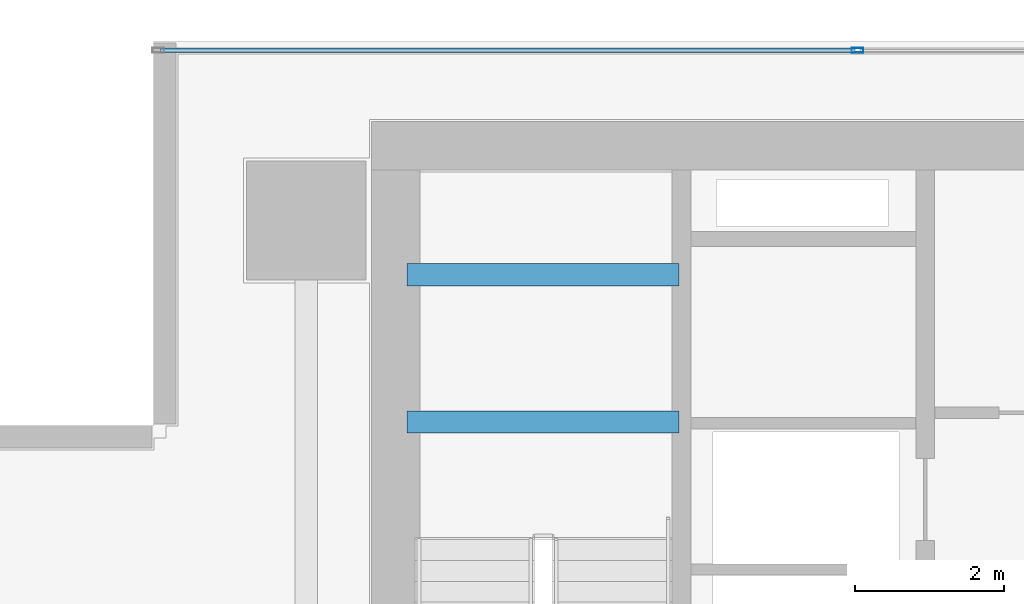
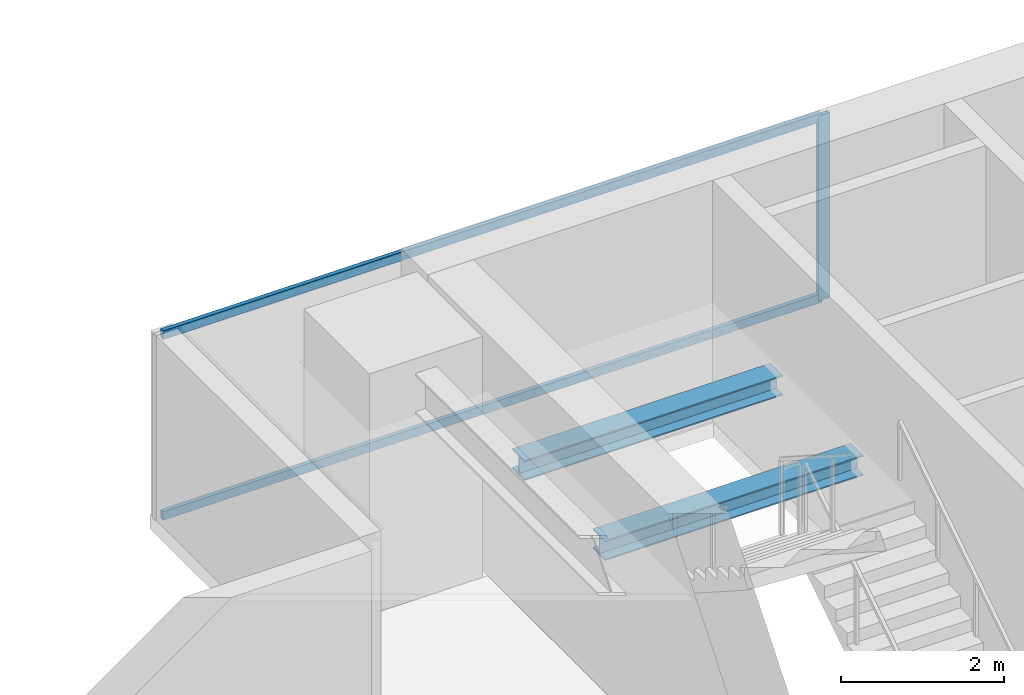
# One storey, part 15 of 28: 3 members, 2 beams, 1 element without a shape of its own.
"""IFC4 building model written with IfcOpenShell, lengths in metres."""

from ifc_helpers import new_model, si_unit, direction, frame, origin, origin_2d, place, context, subcontext, project, spatial, hollow_rectangle, i_section, extrude, source, transform, mapped, material, layer, layer_set, material_profile, profile_set, type_object, element, aggregate, save


model = new_model("IFC4")

# Units and contexts
model_context = context("Model", 3, precision=1e-05, world=origin(), true_north=direction((0.0, 1.0)))
body_context = subcontext(model_context, "Body", "Model", "MODEL_VIEW")
ifc_project = project(units=[si_unit("LENGTHUNIT", "METRE"), si_unit("AREAUNIT", "SQUARE_METRE"), si_unit("VOLUMEUNIT", "CUBIC_METRE"), si_unit("PLANEANGLEUNIT", "RADIAN"), si_unit("MASSUNIT", "GRAM", prefix="KILO")], contexts=[model_context])

# Site, building, storey
site_placement = place(None, origin())
site = spatial("IfcSite", under=ifc_project, at=site_placement, CompositionType="ELEMENT")
building_placement = place(site_placement, origin())
building = spatial("IfcBuilding", under=site, at=building_placement, Name="Sumidabori Civic Tower", CompositionType="ELEMENT")
storey_placement = place(building_placement, frame((0.0, 0.0, 178.39990234375)))
storey = spatial("IfcBuildingStorey", under=building, at=storey_placement, Name="L46", CompositionType="ELEMENT", Elevation=178.39990234375)

# Beams
ifc_material_1 = material(Name="Steel SN490", Category="steel")
ifc_material_profile_1 = material_profile(ifc_material_1, i_section(OverallWidth=0.300048828125, OverallDepth=0.300048828125, WebThickness=0.010986328125, FlangeThickness=0.01904296875, at=origin_2d()), Name="HE 300 B")
ifc_profile_set_1 = profile_set([ifc_material_profile_1], Name="Steel SN490")
beam_type = type_object("IfcBeamType", Name="BM-LDG-300", PredefinedType="BEAM", material=ifc_profile_set_1)
shared_shape_1 = source(origin(), body_context, "Body", "SweptSolid", [
    extrude(i_section(OverallWidth=0.300048828125, OverallDepth=0.300048828125, WebThickness=0.010986328125, FlangeThickness=0.01904296875, at=origin_2d()), origin(), (0.0, 0.0, 1.0), 3.64990234375),
])
for number, where, z_axis, x_axis, name in (
    (1, (-15.449951171875, 20.09765625, 1.4501953125), (1.0, 0.0, 0.0), (0.0, 1.0, 0.0), "Stair ST-1 Landing Support Beam L46-1A"),
    (2, (-15.449951171875, 22.069580078125, 1.4501953125), (1.0, 0.0, 0.0), (0.0, 1.0, 0.0), "Stair ST-1 Landing Trimmer Beam L46-1B"),
):
    element("IfcBeam", number, at=place(storey_placement, frame(where, z_axis=z_axis, x_axis=x_axis)), inside=storey, type_object=beam_type, Name=name, PredefinedType="BEAM", context=body_context, shape_type="MappedRepresentation", body=[
        mapped(shared_shape_1, transform((0.0, 0.0, 0.0), x_axis=(1.0, 0.0, 0.0), y_axis=(0.0, 1.0, 0.0), z_axis=(0.0, 0.0, 1.0), scale=1.0)),
    ])

# Curtain wall, members
ifc_material_2 = material(Name="Anodised Bronze Aluminium AW-6063-T6", Category="aluminium")
ifc_layer = layer(ifc_material_2, 0.179931640625, Name="Anodised Bronze Aluminium AW-6063-T6")
ifc_layer_set = layer_set([ifc_layer], Name="Anodised Bronze Aluminium AW-6063-T6")
curtain_wall_type = type_object("IfcCurtainWallType", Name="CW-SYS-3", PredefinedType="NOTDEFINED", material=ifc_layer_set)
curtain_wall_placement = place(storey_placement, origin())
curtain_wall = element("IfcCurtainWall", 3, at=curtain_wall_placement, inside=storey, type_object=curtain_wall_type, Name="Curtain Wall CW:L46:R07", PredefinedType="NOTDEFINED")
ifc_material_profile_2 = material_profile(ifc_material_2, hollow_rectangle(XDim=0.06494140625, YDim=0.159912109375, WallThickness=0.0048828125, at=origin_2d()), Name="ALU MULLION 160x65")
ifc_profile_set_2 = profile_set([ifc_material_profile_2], Name="Anodised Bronze Aluminium AW-6063-T6")
member_type_1 = type_object("IfcMemberType", Name="CW-MUL-160", PredefinedType="MULLION", material=ifc_profile_set_2)
shared_shape_2 = source(origin(), body_context, "Body", "SweptSolid", [
    extrude(hollow_rectangle(XDim=0.06494140625, YDim=0.159912109375, WallThickness=0.0048828125, at=origin_2d()), origin(), (0.0, 0.0, 1.0), 2.760009765625),
])
member_1_placement = place(storey_placement, frame((-9.409912109375, 25.080078125, 0.0), z_axis=(0.0, 0.0, 1.0), x_axis=(0.0, -1.0, 0.0)))
member_1 = element("IfcMember", 4, at=member_1_placement, type_object=member_type_1, Name="CW-3 mullion 4", PredefinedType="MULLION", context=body_context, shape_type="MappedRepresentation", body=[
    mapped(shared_shape_2, transform((0.0, 0.0, 0.0), x_axis=(1.0, 0.0, 0.0), y_axis=(0.0, 1.0, 0.0), z_axis=(0.0, 0.0, 1.0), scale=1.0)),
])
ifc_material_profile_3 = material_profile(ifc_material_2, hollow_rectangle(XDim=0.06005859375, YDim=0.1298828125, WallThickness=0.0048828125, at=origin_2d()), Name="ALU TRANSOM 130x60")
ifc_profile_set_3 = profile_set([ifc_material_profile_3], Name="Anodised Bronze Aluminium AW-6063-T6")
member_type_2 = type_object("IfcMemberType", Name="CW-TRN-130", PredefinedType="USERDEFINED", material=ifc_profile_set_3)
shared_shape_3 = source(origin(), body_context, "Body", "SweptSolid", [
    extrude(hollow_rectangle(XDim=0.06005859375, YDim=0.1298828125, WallThickness=0.0048828125, at=origin_2d()), origin(), (0.0, 0.0, 1.0), 9.3125),
])
member_2_placement = place(storey_placement, frame((-9.4423828125, 25.080078125, 0.030029296875), z_axis=(-1.0, 0.0, 0.0), x_axis=(0.0, -1.0, 0.0)))
member_2 = element("IfcMember", 5, at=member_2_placement, type_object=member_type_2, Name="CW-3 transom 4.1", ObjectType="TRANSOM", PredefinedType="USERDEFINED", context=body_context, shape_type="MappedRepresentation", body=[
    mapped(shared_shape_3, transform((0.0, 0.0, 0.0), x_axis=(1.0, 0.0, 0.0), y_axis=(0.0, 1.0, 0.0), z_axis=(0.0, 0.0, 1.0), scale=1.0)),
])
member_3_placement = place(storey_placement, frame((-9.4423828125, 25.080078125, 2.72998046875), z_axis=(-1.0, 0.0, 0.0), x_axis=(0.0, -1.0, 0.0)))
member_3 = element("IfcMember", 6, at=member_3_placement, type_object=member_type_2, Name="CW-3 transom 4.2", ObjectType="TRANSOM", PredefinedType="USERDEFINED", context=body_context, shape_type="MappedRepresentation", body=[
    mapped(shared_shape_3, transform((0.0, 0.0, 0.0), x_axis=(1.0, 0.0, 0.0), y_axis=(0.0, 1.0, 0.0), z_axis=(0.0, 0.0, 1.0), scale=1.0)),
])
aggregate(curtain_wall, [member_1, member_2, member_3])

save(model, "model.ifc")
